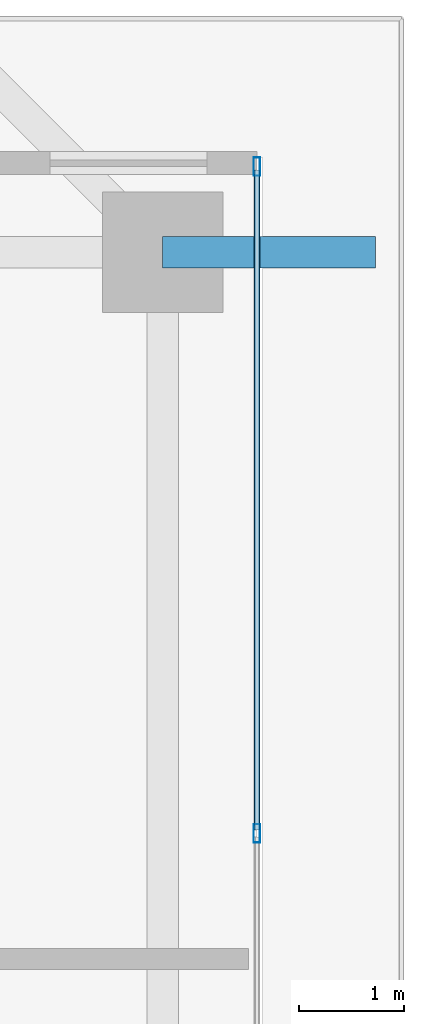
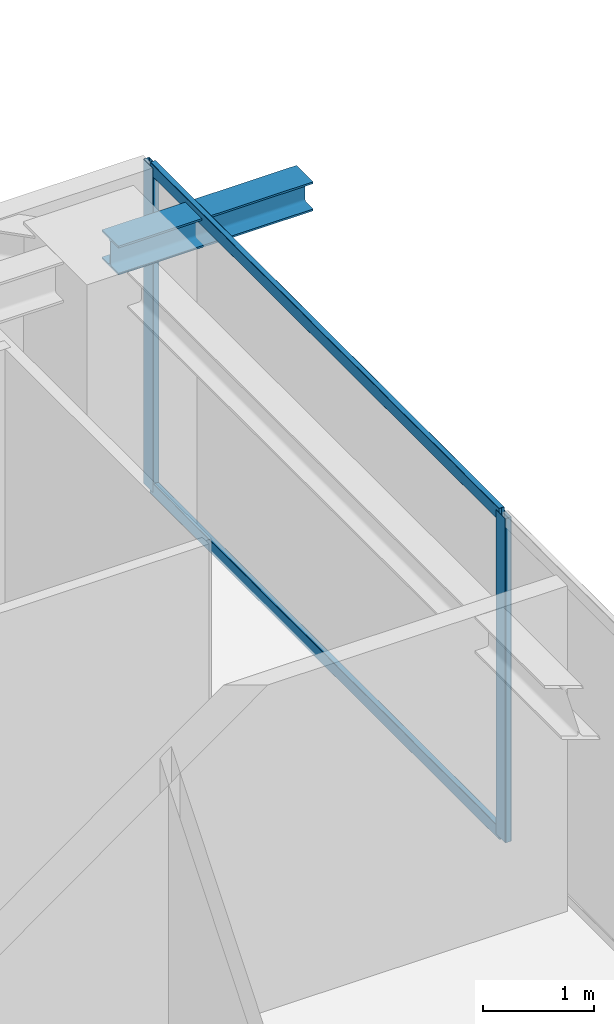
# One storey, part 21 of 35: 4 members, 1 beam, 1 element without a shape of its own.
"""IFC4 building model written with IfcOpenShell, lengths in metres."""

from ifc_helpers import new_model, si_unit, direction, frame, origin, origin_2d, place, context, subcontext, project, spatial, hollow_rectangle, i_section, extrude, source, transform, mapped, material, layer, layer_set, material_profile, profile_set, type_object, element, aggregate, save


model = new_model("IFC4")

# Units and contexts
model_context = context("Model", 3, precision=1e-05, world=origin(), true_north=direction((0.0, 1.0)))
body_context = subcontext(model_context, "Body", "Model", "MODEL_VIEW")
ifc_project = project(units=[si_unit("LENGTHUNIT", "METRE"), si_unit("AREAUNIT", "SQUARE_METRE"), si_unit("VOLUMEUNIT", "CUBIC_METRE"), si_unit("PLANEANGLEUNIT", "RADIAN"), si_unit("MASSUNIT", "GRAM", prefix="KILO")], contexts=[model_context])

# Site, building, storey
site_placement = place(None, origin())
site = spatial("IfcSite", under=ifc_project, at=site_placement, CompositionType="ELEMENT")
building_placement = place(site_placement, origin())
building = spatial("IfcBuilding", under=site, at=building_placement, Name="Serunith Strait Residences", CompositionType="ELEMENT")
storey_placement = place(building_placement, frame((0.0, 0.0, 214.300048828125)))
storey = spatial("IfcBuildingStorey", under=building, at=storey_placement, Name="L53", CompositionType="ELEMENT", Elevation=214.300048828125)

# Beam
ifc_material_1 = material(Name="Steel S355J2", Category="steel")
ifc_material_profile_1 = material_profile(ifc_material_1, i_section(OverallWidth=0.300048828125, OverallDepth=0.320068359375, WebThickness=0.011474609375, FlangeThickness=0.0205078125, FilletRadius=0.027099609375, at=origin_2d()), Name="HEB 320")
ifc_profile_set_1 = profile_set([ifc_material_profile_1], Name="Steel S355J2")
beam_type = type_object("IfcBeamType", Name="BM-HEB320", PredefinedType="BEAM", material=ifc_profile_set_1)
shared_shape_1 = source(origin(), body_context, "Body", "SweptSolid", [
    extrude(i_section(OverallWidth=0.300048828125, OverallDepth=0.320068359375, WebThickness=0.011474609375, FlangeThickness=0.0205078125, FilletRadius=0.027099609375, at=origin_2d()), origin(), (0.0, 0.0, 1.0), 2.030029296875),
])
beam_placement = place(storey_placement, frame((56.5, 40.35009765625, 3.39697265625), z_axis=(1.0, 0.0, 0.0), x_axis=(0.0, 1.0, 0.0)))
element("IfcBeam", 1, at=beam_placement, inside=storey, type_object=beam_type, Name="L54 Cantilevered Balcony Rib TC-E4", PredefinedType="BEAM", context=body_context, shape_type="MappedRepresentation", body=[
    mapped(shared_shape_1, transform((0.0, 0.0, 0.0), scale=1.0)),
])

# Curtain wall, members
ifc_material_2 = material(Name="Pale-Champagne Anodised Aluminium", Category="aluminium")
ifc_layer = layer(ifc_material_2, 0.199951171875, Name="Pale-Champagne Anodised Aluminium")
ifc_layer_set = layer_set([ifc_layer], Name="Pale-Champagne Anodised Aluminium")
curtain_wall_type = type_object("IfcCurtainWallType", Name="CW-SYS4", PredefinedType="NOTDEFINED", material=ifc_layer_set)
curtain_wall_placement = place(storey_placement, origin())
curtain_wall = element("IfcCurtainWall", 2, at=curtain_wall_placement, inside=storey, type_object=curtain_wall_type, Name="L53 E Unitised Fritted Curtain Wall", PredefinedType="NOTDEFINED")
ifc_material_profile_2 = material_profile(ifc_material_2, hollow_rectangle(XDim=0.06494140625, YDim=0.179931640625, WallThickness=0.00341796875, InnerFilletRadius=0.00537109375, OuterFilletRadius=0.0087890625, at=origin_2d()), Name="ALU 180x65x3.5")
ifc_profile_set_2 = profile_set([ifc_material_profile_2], Name="Pale-Champagne Anodised Aluminium")
member_type_1 = type_object("IfcMemberType", Name="CW-SYS4-MULL", PredefinedType="MULLION", material=ifc_profile_set_2)
shared_shape_2 = source(origin(), body_context, "Body", "SweptSolid", [
    extrude(hollow_rectangle(XDim=0.06494140625, YDim=0.179931640625, WallThickness=0.00341796875, InnerFilletRadius=0.00537109375, OuterFilletRadius=0.0087890625, at=origin_2d()), origin(), (0.0, 0.0, 1.0), 3.574951171875),
])
member_1_placement = place(storey_placement, frame((57.39990234375, 34.800048828125, 0.0), z_axis=(0.0, 0.0, 1.0), x_axis=(-1.0, 0.0, 0.0)))
member_1 = element("IfcMember", 3, at=member_1_placement, type_object=member_type_1, Name="CW-4 mullion 5", PredefinedType="MULLION", context=body_context, shape_type="MappedRepresentation", body=[
    mapped(shared_shape_2, transform((0.0, 0.0, 0.0), scale=1.0)),
])
member_2_placement = place(storey_placement, frame((57.39990234375, 41.16748046875, 0.0), z_axis=(0.0, 0.0, 1.0), x_axis=(-1.0, 0.0, 0.0)))
member_2 = element("IfcMember", 4, at=member_2_placement, type_object=member_type_1, Name="CW-4 mullion 6", PredefinedType="MULLION", context=body_context, shape_type="MappedRepresentation", body=[
    mapped(shared_shape_2, transform((0.0, 0.0, 0.0), scale=1.0)),
])
ifc_material_profile_3 = material_profile(ifc_material_2, hollow_rectangle(XDim=0.06005859375, YDim=0.139892578125, WallThickness=0.00341796875, InnerFilletRadius=0.00537109375, OuterFilletRadius=0.0087890625, at=origin_2d()), Name="ALU 140x60x3.5")
ifc_profile_set_3 = profile_set([ifc_material_profile_3], Name="Pale-Champagne Anodised Aluminium")
member_type_2 = type_object("IfcMemberType", Name="CW-SYS4-TRAN", PredefinedType="USERDEFINED", material=ifc_profile_set_3)
shared_shape_3 = source(origin(), body_context, "Body", "SweptSolid", [
    extrude(hollow_rectangle(XDim=0.06005859375, YDim=0.139892578125, WallThickness=0.00341796875, InnerFilletRadius=0.00537109375, OuterFilletRadius=0.0087890625, at=origin_2d()), origin(), (0.0, 0.0, 1.0), 6.302490234375),
])
member_3_placement = place(storey_placement, frame((57.39990234375, 34.83251953125, 0.030029296875), z_axis=(0.0, 1.0, 0.0), x_axis=(-1.0, 0.0, 0.0)))
member_3 = element("IfcMember", 5, at=member_3_placement, type_object=member_type_2, Name="CW-4 transom 5.1", ObjectType="TRANSOM", PredefinedType="USERDEFINED", context=body_context, shape_type="MappedRepresentation", body=[
    mapped(shared_shape_3, transform((0.0, 0.0, 0.0), scale=1.0)),
])
member_4_placement = place(storey_placement, frame((57.39990234375, 34.83251953125, 3.544921875), z_axis=(0.0, 1.0, 0.0), x_axis=(-1.0, 0.0, 0.0)))
member_4 = element("IfcMember", 6, at=member_4_placement, type_object=member_type_2, Name="CW-4 transom 5.2", ObjectType="TRANSOM", PredefinedType="USERDEFINED", context=body_context, shape_type="MappedRepresentation", body=[
    mapped(shared_shape_3, transform((0.0, 0.0, 0.0), scale=1.0)),
])
aggregate(curtain_wall, [member_1, member_2, member_3, member_4])

save(model, "model.ifc")
